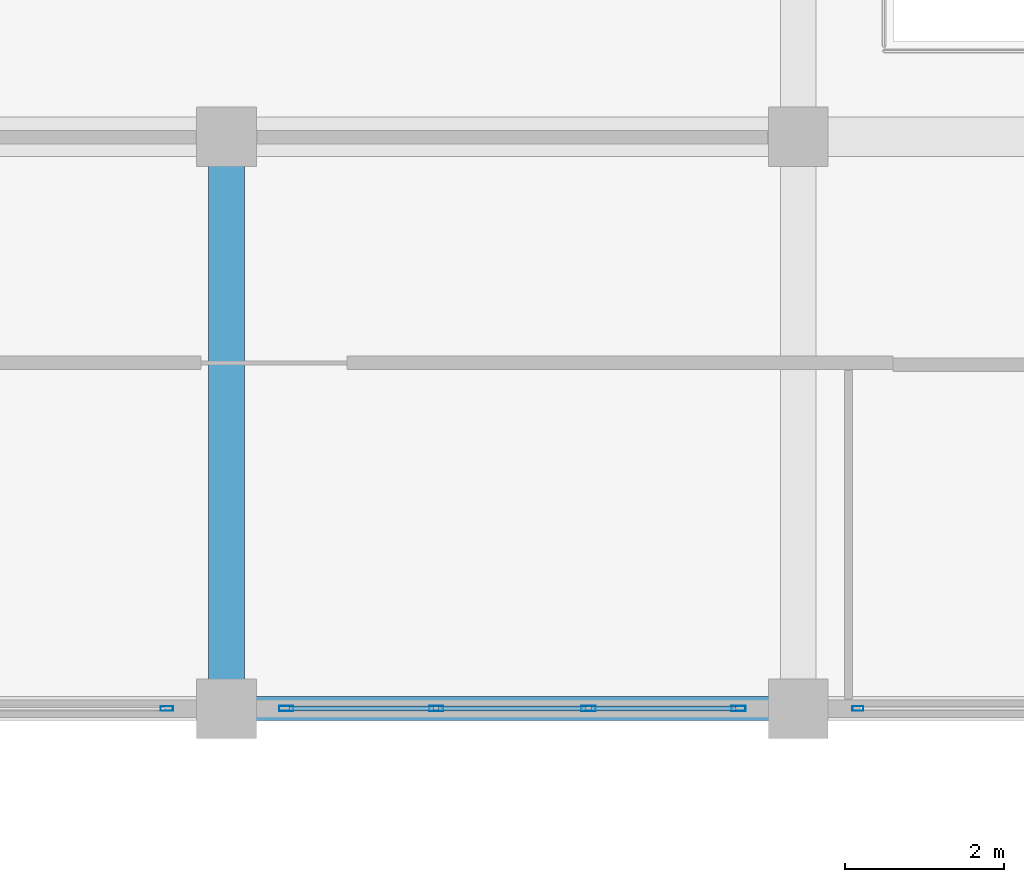
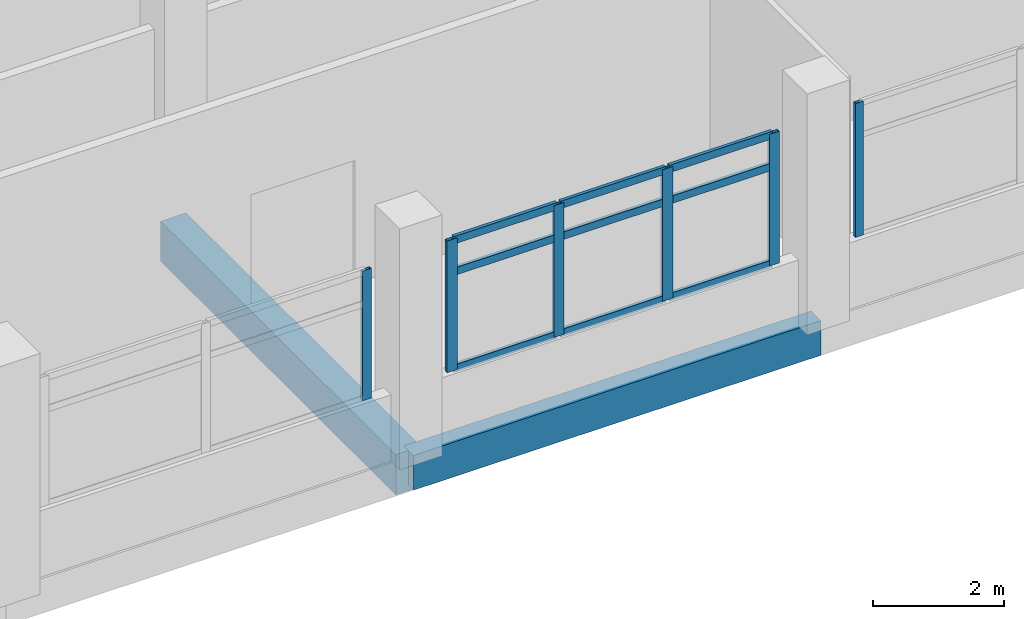
# One storey, part 9 of 141: 15 members, 2 beams, 3 elements without a shape of their own.
"""IFC4 building model written with IfcOpenShell, lengths in metres."""

from ifc_helpers import new_model, si_unit, direction, frame, origin, origin_2d, place, context, subcontext, project, spatial, rectangle, hollow_rectangle, extrude, material, layer, layer_set, material_profile, profile_set, type_object, element, aggregate, save


model = new_model("IFC4")

# Units and contexts
model_context = context("Model", 3, precision=1e-05, world=origin(), true_north=direction((0.0, 1.0)))
body_context = subcontext(model_context, "Body", "Model", "MODEL_VIEW")
ifc_project = project(units=[si_unit("LENGTHUNIT", "METRE"), si_unit("AREAUNIT", "SQUARE_METRE"), si_unit("VOLUMEUNIT", "CUBIC_METRE"), si_unit("PLANEANGLEUNIT", "RADIAN"), si_unit("MASSUNIT", "GRAM", prefix="KILO")], contexts=[model_context])

# Site, building, storey
site_placement = place(None, origin())
site = spatial("IfcSite", under=ifc_project, at=site_placement, CompositionType="ELEMENT")
building_placement = place(site_placement, origin())
building = spatial("IfcBuilding", under=site, at=building_placement, Name="Seraya Terrace Polytechnic", CompositionType="ELEMENT")
storey_placement = place(building_placement, frame((0.0, 0.0, 14.39990234375)))
storey = spatial("IfcBuildingStorey", under=building, at=storey_placement, Name="L03", CompositionType="ELEMENT", Elevation=14.39990234375)

# Beam
ifc_material_1 = material(Name="Concrete C40/50", Category="concrete")
ifc_material_profile_1 = material_profile(ifc_material_1, rectangle(XDim=0.449951171875, YDim=0.75, at=origin_2d()), Name="RC 450x750")
ifc_profile_set_1 = profile_set([ifc_material_profile_1], Name="Concrete C40/50")
beam_type_1 = type_object("IfcBeamType", Name="BM-08", PredefinedType="BEAM", material=ifc_profile_set_1)
beam_1_placement = place(storey_placement, frame((50.39990234375, 0.0, -0.375), z_axis=(0.0, 1.0, 0.0), x_axis=(-1.0, 0.0, 0.0)))
element("IfcBeam", 1, at=beam_1_placement, inside=storey, type_object=beam_type_1, Name="Beam BM-08 L03 Y (50.4, 0.0..7.2)", PredefinedType="BEAM", context=body_context, shape_type="SweptSolid", body=[
    extrude(rectangle(XDim=0.449951171875, YDim=0.75, at=origin_2d()), origin(), (0.0, 0.0, 1.0), 7.199951171875),
])

# Curtain wall, members
ifc_material_2 = material(Name="Anodised aluminium EN AW-6063 T6", Category="aluminium")
ifc_layer_1 = layer(ifc_material_2, 0.179931640625, Name="CW-34")
ifc_layer_set_1 = layer_set([ifc_layer_1], Name="Anodised aluminium EN AW-6063 T6")
curtain_wall_type_1 = type_object("IfcCurtainWallType", Name="CW-34", PredefinedType="NOTDEFINED", material=ifc_layer_set_1)
curtain_wall_1_placement = place(storey_placement, origin())
curtain_wall_1 = element("IfcCurtainWall", 2, at=curtain_wall_1_placement, inside=storey, type_object=curtain_wall_type_1, Name="Unitised curtain wall CW-34 (CW-L03-106)", PredefinedType="NOTDEFINED")
ifc_material_profile_2 = material_profile(ifc_material_2, hollow_rectangle(XDim=0.06494140625, YDim=0.179931640625, WallThickness=0.00390625, at=origin_2d()), Name="RHS 180x65x4.0")
ifc_profile_set_2 = profile_set([ifc_material_profile_2], Name="Anodised aluminium EN AW-6063 T6")
member_type_1 = type_object("IfcMemberType", Name="CWM-01", PredefinedType="MULLION", material=ifc_profile_set_2)
member_1_placement = place(storey_placement, frame((56.847412109375, 0.0, 1.239990234375), z_axis=(0.0, 0.0, 1.0), x_axis=(0.0, -1.0, 0.0)))
member_1 = element("IfcMember", 3, at=member_1_placement, type_object=member_type_1, Name="CW-34 mullion 1", PredefinedType="MULLION", context=body_context, shape_type="SweptSolid", body=[
    extrude(hollow_rectangle(XDim=0.06494140625, YDim=0.179931640625, WallThickness=0.00390625, at=origin_2d()), origin(), (0.0, 0.0, 1.0), 2.460205078125),
])
member_2_placement = place(storey_placement, frame((54.9599609375, 0.0, 1.239990234375), z_axis=(0.0, 0.0, 1.0), x_axis=(0.0, -1.0, 0.0)))
member_2 = element("IfcMember", 4, at=member_2_placement, type_object=member_type_1, Name="CW-34 mullion 2", PredefinedType="MULLION", context=body_context, shape_type="SweptSolid", body=[
    extrude(hollow_rectangle(XDim=0.06494140625, YDim=0.179931640625, WallThickness=0.00390625, at=origin_2d()), origin(), (0.0, 0.0, 1.0), 2.460205078125),
])
member_3_placement = place(storey_placement, frame((53.0400390625, 0.0, 1.239990234375), z_axis=(0.0, 0.0, 1.0), x_axis=(0.0, -1.0, 0.0)))
member_3 = element("IfcMember", 5, at=member_3_placement, type_object=member_type_1, Name="CW-34 mullion 3", PredefinedType="MULLION", context=body_context, shape_type="SweptSolid", body=[
    extrude(hollow_rectangle(XDim=0.06494140625, YDim=0.179931640625, WallThickness=0.00390625, at=origin_2d()), origin(), (0.0, 0.0, 1.0), 2.460205078125),
])
member_4_placement = place(storey_placement, frame((51.152587890625, 0.0, 1.239990234375), z_axis=(0.0, 0.0, 1.0), x_axis=(0.0, -1.0, 0.0)))
member_4 = element("IfcMember", 6, at=member_4_placement, type_object=member_type_1, Name="CW-34 mullion 4", PredefinedType="MULLION", context=body_context, shape_type="SweptSolid", body=[
    extrude(hollow_rectangle(XDim=0.06494140625, YDim=0.179931640625, WallThickness=0.00390625, at=origin_2d()), origin(), (0.0, 0.0, 1.0), 2.460205078125),
])

# Curtain wall, member
ifc_layer_2 = layer(ifc_material_2, 0.179931640625, Name="CW-35")
ifc_layer_set_2 = layer_set([ifc_layer_2], Name="Anodised aluminium EN AW-6063 T6")
curtain_wall_type_2 = type_object("IfcCurtainWallType", Name="CW-35", PredefinedType="NOTDEFINED", material=ifc_layer_set_2)
curtain_wall_2_placement = place(storey_placement, origin())
curtain_wall_2 = element("IfcCurtainWall", 7, at=curtain_wall_2_placement, inside=storey, type_object=curtain_wall_type_2, Name="Unitised curtain wall CW-35 (CW-L03-107)", PredefinedType="NOTDEFINED")
ifc_material_profile_3 = material_profile(ifc_material_2, hollow_rectangle(XDim=0.06005859375, YDim=0.159912109375, WallThickness=0.00341796875, at=origin_2d()), Name="RHS 160x60x3.5")
ifc_profile_set_3 = profile_set([ifc_material_profile_3], Name="Anodised aluminium EN AW-6063 T6")
member_type_2 = type_object("IfcMemberType", Name="CWM-02", PredefinedType="MULLION", material=ifc_profile_set_3)
member_5_placement = place(storey_placement, frame((49.64990234375, 0.0, 1.239990234375), z_axis=(0.0, 0.0, 1.0), x_axis=(0.0, -1.0, 0.0)))
member_5 = element("IfcMember", 8, at=member_5_placement, type_object=member_type_2, Name="CW-35 mullion 1", PredefinedType="MULLION", context=body_context, shape_type="SweptSolid", body=[
    extrude(hollow_rectangle(XDim=0.06005859375, YDim=0.159912109375, WallThickness=0.00341796875, at=origin_2d()), origin(), (0.0, 0.0, 1.0), 2.420166015625),
])
aggregate(curtain_wall_2, [member_5])

ifc_layer_3 = layer(ifc_material_2, 0.179931640625, Name="CW-33")
ifc_layer_set_3 = layer_set([ifc_layer_3], Name="Anodised aluminium EN AW-6063 T6")
curtain_wall_type_3 = type_object("IfcCurtainWallType", Name="CW-33", PredefinedType="NOTDEFINED", material=ifc_layer_set_3)
curtain_wall_3_placement = place(storey_placement, origin())
curtain_wall_3 = element("IfcCurtainWall", 9, at=curtain_wall_3_placement, inside=storey, type_object=curtain_wall_type_3, Name="Unitised curtain wall CW-33 (CW-L03-105)", PredefinedType="NOTDEFINED")
ifc_material_profile_4 = material_profile(ifc_material_2, hollow_rectangle(XDim=0.06005859375, YDim=0.139892578125, WallThickness=0.00341796875, at=origin_2d()), Name="RHS 140x60x3.5")
ifc_profile_set_4 = profile_set([ifc_material_profile_4], Name="Anodised aluminium EN AW-6063 T6")
member_type_3 = type_object("IfcMemberType", Name="CWM-03", PredefinedType="MULLION", material=ifc_profile_set_4)
member_6_placement = place(storey_placement, frame((58.35009765625, 0.0, 1.239990234375), z_axis=(0.0, 0.0, 1.0), x_axis=(0.0, -1.0, 0.0)))
member_6 = element("IfcMember", 10, at=member_6_placement, type_object=member_type_3, Name="CW-33 mullion 3", PredefinedType="MULLION", context=body_context, shape_type="SweptSolid", body=[
    extrude(hollow_rectangle(XDim=0.06005859375, YDim=0.139892578125, WallThickness=0.00341796875, at=origin_2d()), origin(), (0.0, 0.0, 1.0), 2.5),
])
aggregate(curtain_wall_3, [member_6])

# Member
ifc_material_profile_5 = material_profile(ifc_material_2, hollow_rectangle(XDim=0.06005859375, YDim=0.139892578125, WallThickness=0.00341796875, at=origin_2d()), Name="RHS 140x60x3.5")
ifc_profile_set_5 = profile_set([ifc_material_profile_5], Name="Anodised aluminium EN AW-6063 T6")
member_type_4 = type_object("IfcMemberType", Name="CWT-01", PredefinedType="USERDEFINED", material=ifc_profile_set_5)
member_7_placement = place(storey_placement, frame((56.81494140625, 0.0, 1.27001953125), z_axis=(-1.0, 0.0, 0.0), x_axis=(0.0, -1.0, 0.0)))
member_7 = element("IfcMember", 11, at=member_7_placement, type_object=member_type_4, Name="CW-34 transom 1.1", ObjectType="TRANSOM", PredefinedType="USERDEFINED", context=body_context, shape_type="SweptSolid", body=[
    extrude(hollow_rectangle(XDim=0.06005859375, YDim=0.139892578125, WallThickness=0.00341796875, at=origin_2d()), origin(), (0.0, 0.0, 1.0), 1.822509765625),
])

member_8_placement = place(storey_placement, frame((56.81494140625, 0.0, 3.080078125), z_axis=(-1.0, 0.0, 0.0), x_axis=(0.0, -1.0, 0.0)))
member_8 = element("IfcMember", 12, at=member_8_placement, type_object=member_type_4, Name="CW-34 transom 1.2", ObjectType="TRANSOM", PredefinedType="USERDEFINED", context=body_context, shape_type="SweptSolid", body=[
    extrude(hollow_rectangle(XDim=0.06005859375, YDim=0.139892578125, WallThickness=0.00341796875, at=origin_2d()), origin(), (0.0, 0.0, 1.0), 1.822509765625),
])

member_9_placement = place(storey_placement, frame((56.81494140625, 0.0, 3.670166015625), z_axis=(-1.0, 0.0, 0.0), x_axis=(0.0, -1.0, 0.0)))
member_9 = element("IfcMember", 13, at=member_9_placement, type_object=member_type_4, Name="CW-34 transom 1.3", ObjectType="TRANSOM", PredefinedType="USERDEFINED", context=body_context, shape_type="SweptSolid", body=[
    extrude(hollow_rectangle(XDim=0.06005859375, YDim=0.139892578125, WallThickness=0.00341796875, at=origin_2d()), origin(), (0.0, 0.0, 1.0), 1.822509765625),
])

member_10_placement = place(storey_placement, frame((54.927490234375, 0.0, 1.27001953125), z_axis=(-1.0, 0.0, 0.0), x_axis=(0.0, -1.0, 0.0)))
member_10 = element("IfcMember", 14, at=member_10_placement, type_object=member_type_4, Name="CW-34 transom 2.1", ObjectType="TRANSOM", PredefinedType="USERDEFINED", context=body_context, shape_type="SweptSolid", body=[
    extrude(hollow_rectangle(XDim=0.06005859375, YDim=0.139892578125, WallThickness=0.00341796875, at=origin_2d()), origin(), (0.0, 0.0, 1.0), 1.85498046875),
])

member_11_placement = place(storey_placement, frame((54.927490234375, 0.0, 3.080078125), z_axis=(-1.0, 0.0, 0.0), x_axis=(0.0, -1.0, 0.0)))
member_11 = element("IfcMember", 15, at=member_11_placement, type_object=member_type_4, Name="CW-34 transom 2.2", ObjectType="TRANSOM", PredefinedType="USERDEFINED", context=body_context, shape_type="SweptSolid", body=[
    extrude(hollow_rectangle(XDim=0.06005859375, YDim=0.139892578125, WallThickness=0.00341796875, at=origin_2d()), origin(), (0.0, 0.0, 1.0), 1.85498046875),
])

member_12_placement = place(storey_placement, frame((54.927490234375, 0.0, 3.670166015625), z_axis=(-1.0, 0.0, 0.0), x_axis=(0.0, -1.0, 0.0)))
member_12 = element("IfcMember", 16, at=member_12_placement, type_object=member_type_4, Name="CW-34 transom 2.3", ObjectType="TRANSOM", PredefinedType="USERDEFINED", context=body_context, shape_type="SweptSolid", body=[
    extrude(hollow_rectangle(XDim=0.06005859375, YDim=0.139892578125, WallThickness=0.00341796875, at=origin_2d()), origin(), (0.0, 0.0, 1.0), 1.85498046875),
])

member_13_placement = place(storey_placement, frame((53.007568359375, 0.0, 1.27001953125), z_axis=(-1.0, 0.0, 0.0), x_axis=(0.0, -1.0, 0.0)))
member_13 = element("IfcMember", 17, at=member_13_placement, type_object=member_type_4, Name="CW-34 transom 3.1", ObjectType="TRANSOM", PredefinedType="USERDEFINED", context=body_context, shape_type="SweptSolid", body=[
    extrude(hollow_rectangle(XDim=0.06005859375, YDim=0.139892578125, WallThickness=0.00341796875, at=origin_2d()), origin(), (0.0, 0.0, 1.0), 1.822509765625),
])

member_14_placement = place(storey_placement, frame((53.007568359375, 0.0, 3.080078125), z_axis=(-1.0, 0.0, 0.0), x_axis=(0.0, -1.0, 0.0)))
member_14 = element("IfcMember", 18, at=member_14_placement, type_object=member_type_4, Name="CW-34 transom 3.2", ObjectType="TRANSOM", PredefinedType="USERDEFINED", context=body_context, shape_type="SweptSolid", body=[
    extrude(hollow_rectangle(XDim=0.06005859375, YDim=0.139892578125, WallThickness=0.00341796875, at=origin_2d()), origin(), (0.0, 0.0, 1.0), 1.822509765625),
])

member_15_placement = place(storey_placement, frame((53.007568359375, 0.0, 3.670166015625), z_axis=(-1.0, 0.0, 0.0), x_axis=(0.0, -1.0, 0.0)))
member_15 = element("IfcMember", 19, at=member_15_placement, type_object=member_type_4, Name="CW-34 transom 3.3", ObjectType="TRANSOM", PredefinedType="USERDEFINED", context=body_context, shape_type="SweptSolid", body=[
    extrude(hollow_rectangle(XDim=0.06005859375, YDim=0.139892578125, WallThickness=0.00341796875, at=origin_2d()), origin(), (0.0, 0.0, 1.0), 1.822509765625),
])

aggregate(curtain_wall_1, [member_1, member_2, member_3, member_4, member_7, member_8, member_9, member_10, member_11, member_12, member_13, member_14, member_15])

# Beam
ifc_material_profile_6 = material_profile(ifc_material_1, rectangle(XDim=0.300048828125, YDim=0.64990234375, at=origin_2d()), Name="RC 300x650")
ifc_profile_set_6 = profile_set([ifc_material_profile_6], Name="Concrete C40/50")
beam_type_2 = type_object("IfcBeamType", Name="SP-01", PredefinedType="SPANDREL", material=ifc_profile_set_6)
beam_2_placement = place(storey_placement, frame((50.39990234375, 0.0, -0.324951171875), z_axis=(1.0, 0.0, 0.0), x_axis=(0.0, 1.0, 0.0)))
element("IfcBeam", 20, at=beam_2_placement, inside=storey, type_object=beam_type_2, Name="Beam SP-01 L03 X (50.4..57.6, 0.0)", PredefinedType="SPANDREL", context=body_context, shape_type="SweptSolid", body=[
    extrude(rectangle(XDim=0.300048828125, YDim=0.64990234375, at=origin_2d()), origin(), (0.0, 0.0, 1.0), 7.2001953125),
])

save(model, "model.ifc")
